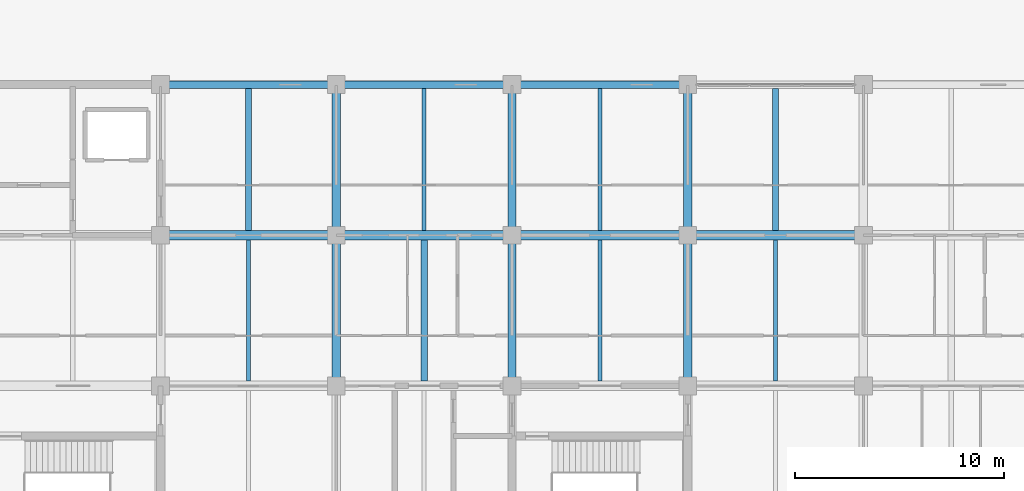
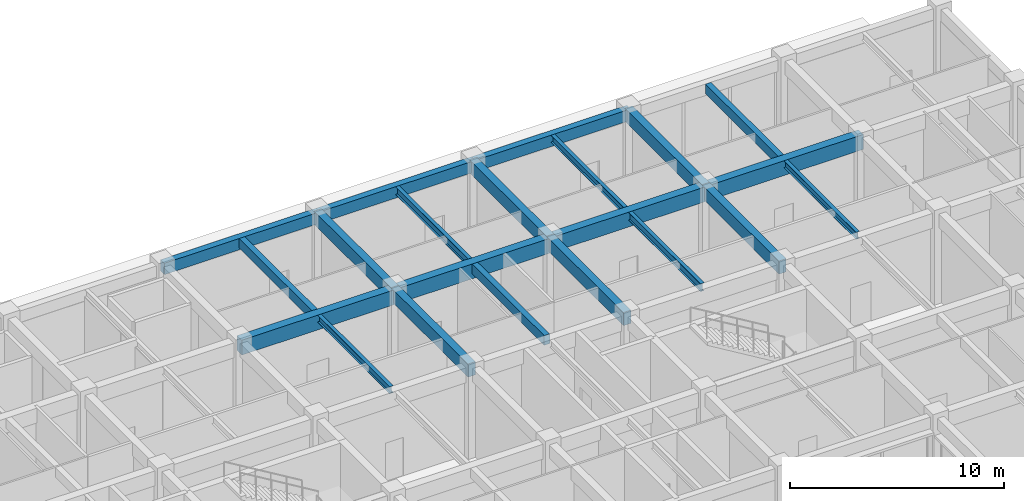
# One storey, part 31 of 73: 21 beams.
"""IFC4 building model written with IfcOpenShell, lengths in metres."""

from ifc_helpers import new_model, si_unit, direction, frame, origin, origin_2d, place, context, subcontext, project, spatial, rectangle, i_section, extrude, material, material_profile, profile_set, type_object, element, save


model = new_model("IFC4")

# Units and contexts
model_context = context("Model", 3, precision=1e-05, world=origin(), true_north=direction((0.0, 1.0)))
body_context = subcontext(model_context, "Body", "Model", "MODEL_VIEW")
ifc_project = project(units=[si_unit("LENGTHUNIT", "METRE"), si_unit("AREAUNIT", "SQUARE_METRE"), si_unit("VOLUMEUNIT", "CUBIC_METRE"), si_unit("PLANEANGLEUNIT", "RADIAN"), si_unit("MASSUNIT", "GRAM", prefix="KILO")], contexts=[model_context])

# Site, building, storey
site_placement = place(None, origin())
site = spatial("IfcSite", under=ifc_project, at=site_placement, CompositionType="ELEMENT")
building_placement = place(site_placement, origin())
building = spatial("IfcBuilding", under=site, at=building_placement, Name="Chengyuan Square Courthouse", CompositionType="ELEMENT")
storey_placement = place(building_placement, origin())
storey = spatial("IfcBuildingStorey", under=building, at=storey_placement, Name="L01", CompositionType="ELEMENT", Elevation=0.0)

# Beams
ifc_material_1 = material(Name="Concrete C40", Category="concrete")
ifc_material_profile_1 = material_profile(ifc_material_1, rectangle(XDim=0.449951171875, YDim=0.85009765625, at=origin_2d()), Name="RC-BM-450x850")
ifc_profile_set_1 = profile_set([ifc_material_profile_1], Name="Concrete C40")
beam_type_1 = type_object("IfcBeamType", Name="BM-01", PredefinedType="USERDEFINED", material=ifc_profile_set_1)
beam_1_placement = place(storey_placement, frame((126.0, 100.800048828125, 4.695068359375), z_axis=(1.0, 0.0, 0.0), x_axis=(0.0, 1.0, 0.0)))
element("IfcBeam", 1, at=beam_1_placement, inside=storey, type_object=beam_type_1, Name="Girder BM-L01-1764", ObjectType="GIRDER", PredefinedType="USERDEFINED", context=body_context, shape_type="SweptSolid", body=[
    extrude(rectangle(XDim=0.449951171875, YDim=0.85009765625, at=origin_2d()), origin(), (0.0, 0.0, 1.0), 8.39990234375),
])
beam_2_placement = place(storey_placement, frame((134.39990234375, 100.800048828125, 4.695068359375), z_axis=(1.0, 0.0, 0.0), x_axis=(0.0, 1.0, 0.0)))
element("IfcBeam", 2, at=beam_2_placement, inside=storey, type_object=beam_type_1, Name="Girder BM-L01-1765", ObjectType="GIRDER", PredefinedType="USERDEFINED", context=body_context, shape_type="SweptSolid", body=[
    extrude(rectangle(XDim=0.449951171875, YDim=0.85009765625, at=origin_2d()), origin(), (0.0, 0.0, 1.0), 8.400146484375),
])
beam_3_placement = place(storey_placement, frame((142.800048828125, 100.800048828125, 4.695068359375), z_axis=(1.0, 0.0, 0.0), x_axis=(0.0, 1.0, 0.0)))
element("IfcBeam", 3, at=beam_3_placement, inside=storey, type_object=beam_type_1, Name="Girder BM-L01-1766", ObjectType="GIRDER", PredefinedType="USERDEFINED", context=body_context, shape_type="SweptSolid", body=[
    extrude(rectangle(XDim=0.449951171875, YDim=0.85009765625, at=origin_2d()), origin(), (0.0, 0.0, 1.0), 8.39990234375),
])
beam_4_placement = place(storey_placement, frame((151.199951171875, 100.800048828125, 4.695068359375), z_axis=(1.0, 0.0, 0.0), x_axis=(0.0, 1.0, 0.0)))
element("IfcBeam", 4, at=beam_4_placement, inside=storey, type_object=beam_type_1, Name="Girder BM-L01-1767", ObjectType="GIRDER", PredefinedType="USERDEFINED", context=body_context, shape_type="SweptSolid", body=[
    extrude(rectangle(XDim=0.449951171875, YDim=0.85009765625, at=origin_2d()), origin(), (0.0, 0.0, 1.0), 8.400146484375),
])
ifc_material_profile_2 = material_profile(ifc_material_1, rectangle(XDim=0.39990234375, YDim=0.75, at=origin_2d()), Name="RC-BM-400x750")
ifc_profile_set_2 = profile_set([ifc_material_profile_2], Name="Concrete C40")
beam_type_2 = type_object("IfcBeamType", Name="BM-02", PredefinedType="USERDEFINED", material=ifc_profile_set_2)
for number, where, z_axis, x_axis, name in (
    (5, (134.39990234375, 93.60009765625, 4.7451171875), (0.0, 1.0, 0.0), (-1.0, 0.0, 0.0), "Girder BM-L01-1906"),
    (6, (134.39990234375, 100.800048828125, 4.7451171875), (0.0, 1.0, 0.0), (-1.0, 0.0, 0.0), "Girder BM-L01-1907"),
    (7, (142.800048828125, 93.60009765625, 4.7451171875), (0.0, 1.0, 0.0), (-1.0, 0.0, 0.0), "Girder BM-L01-1910"),
    (8, (142.800048828125, 100.800048828125, 4.7451171875), (0.0, 1.0, 0.0), (-1.0, 0.0, 0.0), "Girder BM-L01-1911"),
    (9, (151.199951171875, 93.60009765625, 4.7451171875), (0.0, 1.0, 0.0), (-1.0, 0.0, 0.0), "Girder BM-L01-1925"),
    (10, (151.199951171875, 100.800048828125, 4.7451171875), (0.0, 1.0, 0.0), (-1.0, 0.0, 0.0), "Girder BM-L01-1926"),
):
    element("IfcBeam", number, at=place(storey_placement, frame(where, z_axis=z_axis, x_axis=x_axis)), inside=storey, type_object=beam_type_2, Name=name, ObjectType="GIRDER", PredefinedType="USERDEFINED", context=body_context, shape_type="SweptSolid", body=[
        extrude(rectangle(XDim=0.39990234375, YDim=0.75, at=origin_2d()), origin(), (0.0, 0.0, 1.0), 7.199951171875),
    ])
ifc_material_profile_3 = material_profile(ifc_material_1, rectangle(XDim=0.35009765625, YDim=0.64990234375, at=origin_2d()), Name="RC-BM-350x650")
ifc_profile_set_3 = profile_set([ifc_material_profile_3], Name="Concrete C40")
beam_type_3 = type_object("IfcBeamType", Name="BM-03", PredefinedType="SPANDREL", material=ifc_profile_set_3)
beam_5_placement = place(storey_placement, frame((126.0, 108.0, 4.794921875), z_axis=(1.0, 0.0, 0.0), x_axis=(0.0, 1.0, 0.0)))
element("IfcBeam", 11, at=beam_5_placement, inside=storey, type_object=beam_type_3, Name="Girder BM-L01-1784", PredefinedType="SPANDREL", context=body_context, shape_type="SweptSolid", body=[
    extrude(rectangle(XDim=0.35009765625, YDim=0.64990234375, at=origin_2d()), origin(), (0.0, 0.0, 1.0), 8.39990234375),
])
beam_6_placement = place(storey_placement, frame((134.39990234375, 108.0, 4.794921875), z_axis=(1.0, 0.0, 0.0), x_axis=(0.0, 1.0, 0.0)))
element("IfcBeam", 12, at=beam_6_placement, inside=storey, type_object=beam_type_3, Name="Girder BM-L01-1785", PredefinedType="SPANDREL", context=body_context, shape_type="SweptSolid", body=[
    extrude(rectangle(XDim=0.35009765625, YDim=0.64990234375, at=origin_2d()), origin(), (0.0, 0.0, 1.0), 8.400146484375),
])
beam_7_placement = place(storey_placement, frame((142.800048828125, 108.0, 4.794921875), z_axis=(1.0, 0.0, 0.0), x_axis=(0.0, 1.0, 0.0)))
element("IfcBeam", 13, at=beam_7_placement, inside=storey, type_object=beam_type_3, Name="Girder BM-L01-1786", PredefinedType="SPANDREL", context=body_context, shape_type="SweptSolid", body=[
    extrude(rectangle(XDim=0.35009765625, YDim=0.64990234375, at=origin_2d()), origin(), (0.0, 0.0, 1.0), 8.39990234375),
])
ifc_material_profile_4 = material_profile(ifc_material_1, rectangle(XDim=0.300048828125, YDim=0.550048828125, at=origin_2d()), Name="RC-BM-300x550")
ifc_profile_set_4 = profile_set([ifc_material_profile_4], Name="Concrete C40")
beam_type_4 = type_object("IfcBeamType", Name="BM-04", PredefinedType="BEAM", material=ifc_profile_set_4)
beam_8_placement = place(storey_placement, frame((130.199951171875, 101.02490234375, 4.844970703125), z_axis=(0.0, 1.0, 0.0), x_axis=(-1.0, 0.0, 0.0)))
element("IfcBeam", 14, at=beam_8_placement, inside=storey, type_object=beam_type_4, Name="Secondary Floor Beam SBM-L01-2034", PredefinedType="BEAM", context=body_context, shape_type="SweptSolid", body=[
    extrude(rectangle(XDim=0.300048828125, YDim=0.550048828125, at=origin_2d()), origin(), (0.0, 0.0, 1.0), 6.800048828125),
])
beam_9_placement = place(storey_placement, frame((138.60009765625, 93.824951171875, 4.844970703125), z_axis=(0.0, 1.0, 0.0), x_axis=(-1.0, 0.0, 0.0)))
element("IfcBeam", 15, at=beam_9_placement, inside=storey, type_object=beam_type_4, Name="Secondary Floor Beam SBM-L01-2037", PredefinedType="BEAM", context=body_context, shape_type="SweptSolid", body=[
    extrude(rectangle(XDim=0.300048828125, YDim=0.550048828125, at=origin_2d()), origin(), (0.0, 0.0, 1.0), 6.75),
])
beam_10_placement = place(storey_placement, frame((155.39990234375, 101.02490234375, 4.844970703125), z_axis=(0.0, 1.0, 0.0), x_axis=(-1.0, 0.0, 0.0)))
element("IfcBeam", 16, at=beam_10_placement, inside=storey, type_object=beam_type_4, Name="Secondary Floor Beam SBM-L01-2055", PredefinedType="BEAM", context=body_context, shape_type="SweptSolid", body=[
    extrude(rectangle(XDim=0.300048828125, YDim=0.550048828125, at=origin_2d()), origin(), (0.0, 0.0, 1.0), 6.800048828125),
])
ifc_material_2 = material(Name="Steel Q355B", Category="steel")
ifc_material_profile_5 = material_profile(ifc_material_2, i_section(OverallWidth=0.199951171875, OverallDepth=0.449951171875, WebThickness=0.009033203125, FlangeThickness=0.013916015625, at=origin_2d()), Name="HN 450x200x9x14")
ifc_profile_set_5 = profile_set([ifc_material_profile_5], Name="Steel Q355B")
beam_type_5 = type_object("IfcBeamType", Name="BM-06", PredefinedType="BEAM", material=ifc_profile_set_5)
beam_11_placement = place(storey_placement, frame((138.60009765625, 101.02490234375, 4.89501953125), z_axis=(0.0, 1.0, 0.0), x_axis=(-1.0, 0.0, 0.0)))
element("IfcBeam", 17, at=beam_11_placement, inside=storey, type_object=beam_type_5, Name="Secondary Floor Beam SBM-L01-2038", PredefinedType="BEAM", context=body_context, shape_type="SweptSolid", body=[
    extrude(i_section(OverallWidth=0.199951171875, OverallDepth=0.449951171875, WebThickness=0.009033203125, FlangeThickness=0.013916015625, at=origin_2d()), origin(), (0.0, 0.0, 1.0), 6.800048828125),
])
beam_12_placement = place(storey_placement, frame((147.0, 93.824951171875, 4.89501953125), z_axis=(0.0, 1.0, 0.0), x_axis=(-1.0, 0.0, 0.0)))
element("IfcBeam", 18, at=beam_12_placement, inside=storey, type_object=beam_type_5, Name="Secondary Floor Beam SBM-L01-2040", PredefinedType="BEAM", context=body_context, shape_type="SweptSolid", body=[
    extrude(i_section(OverallWidth=0.199951171875, OverallDepth=0.449951171875, WebThickness=0.009033203125, FlangeThickness=0.013916015625, at=origin_2d()), origin(), (0.0, 0.0, 1.0), 6.75),
])
ifc_material_profile_6 = material_profile(ifc_material_2, i_section(OverallWidth=0.199951171875, OverallDepth=0.39990234375, WebThickness=0.008056640625, FlangeThickness=0.012939453125, at=origin_2d()), Name="HN 400x200x8x13")
ifc_profile_set_6 = profile_set([ifc_material_profile_6], Name="Steel Q355B")
beam_type_6 = type_object("IfcBeamType", Name="BM-07", PredefinedType="BEAM", material=ifc_profile_set_6)
beam_13_placement = place(storey_placement, frame((130.199951171875, 93.824951171875, 4.919921875), z_axis=(0.0, 1.0, 0.0), x_axis=(-1.0, 0.0, 0.0)))
element("IfcBeam", 19, at=beam_13_placement, inside=storey, type_object=beam_type_6, Name="Secondary Floor Beam SBM-L01-2033", PredefinedType="BEAM", context=body_context, shape_type="SweptSolid", body=[
    extrude(i_section(OverallWidth=0.199951171875, OverallDepth=0.39990234375, WebThickness=0.008056640625, FlangeThickness=0.012939453125, at=origin_2d()), origin(), (0.0, 0.0, 1.0), 6.75),
])
beam_14_placement = place(storey_placement, frame((147.0, 101.02490234375, 4.919921875), z_axis=(0.0, 1.0, 0.0), x_axis=(-1.0, 0.0, 0.0)))
element("IfcBeam", 20, at=beam_14_placement, inside=storey, type_object=beam_type_6, Name="Secondary Floor Beam SBM-L01-2041", PredefinedType="BEAM", context=body_context, shape_type="SweptSolid", body=[
    extrude(i_section(OverallWidth=0.199951171875, OverallDepth=0.39990234375, WebThickness=0.008056640625, FlangeThickness=0.012939453125, at=origin_2d()), origin(), (0.0, 0.0, 1.0), 6.800048828125),
])
beam_15_placement = place(storey_placement, frame((155.39990234375, 93.824951171875, 4.919921875), z_axis=(0.0, 1.0, 0.0), x_axis=(-1.0, 0.0, 0.0)))
element("IfcBeam", 21, at=beam_15_placement, inside=storey, type_object=beam_type_6, Name="Secondary Floor Beam SBM-L01-2054", PredefinedType="BEAM", context=body_context, shape_type="SweptSolid", body=[
    extrude(i_section(OverallWidth=0.199951171875, OverallDepth=0.39990234375, WebThickness=0.008056640625, FlangeThickness=0.012939453125, at=origin_2d()), origin(), (0.0, 0.0, 1.0), 6.75),
])

save(model, "model.ifc")
